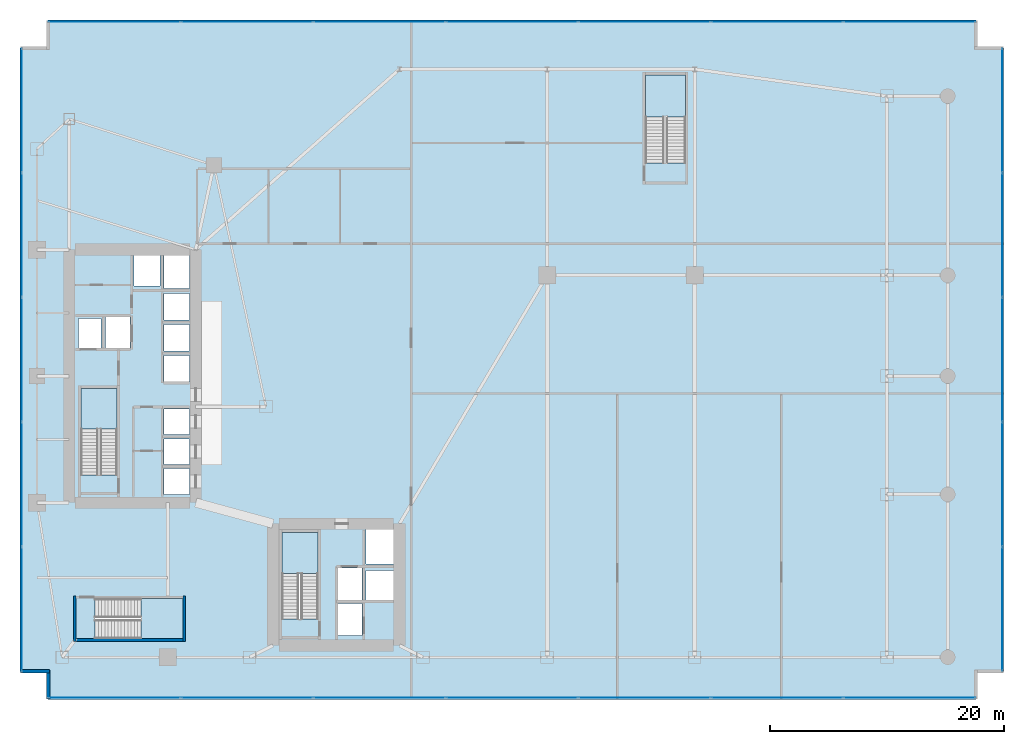
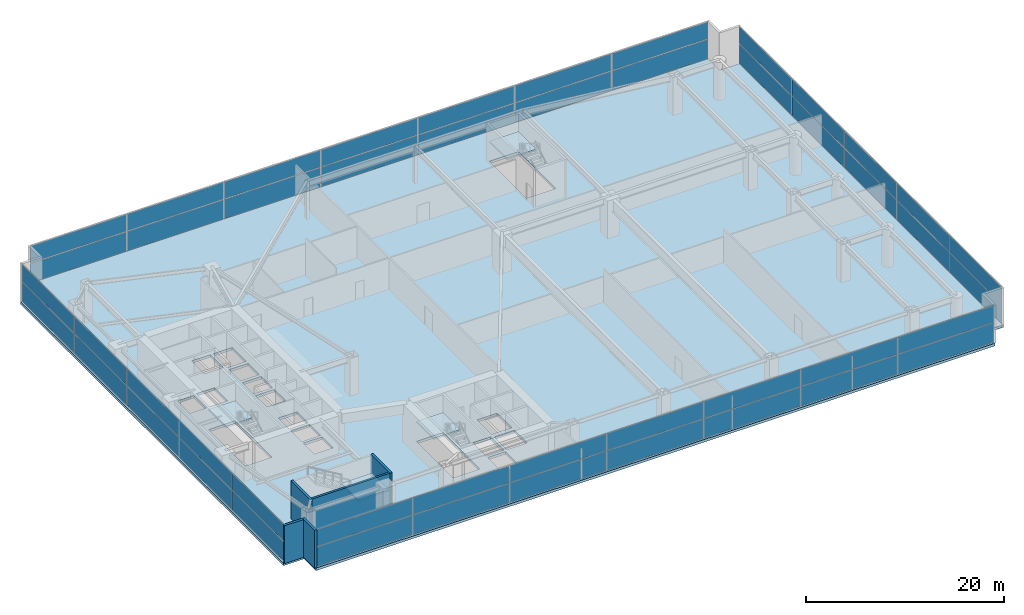
# One storey, part 29 of 35: 48 plates, 5 slabs, 5 walls, 8 elements without a shape of their own.
"""IFC4 building model written with IfcOpenShell, lengths in metres."""

from ifc_helpers import new_model, si_unit, direction, frame, frame_2d, origin, origin_2d, place, context, subcontext, project, spatial, polyline, rectangle, outline, extrude, material, layer, layer_set, type_object, element, aggregate, save


model = new_model("IFC4")

# Units and contexts
model_context = context("Model", 3, precision=1e-05, world=origin(), true_north=direction((0.0, 1.0)))
body_context = subcontext(model_context, "Body", "Model", "MODEL_VIEW")
ifc_project = project(units=[si_unit("LENGTHUNIT", "METRE"), si_unit("AREAUNIT", "SQUARE_METRE"), si_unit("VOLUMEUNIT", "CUBIC_METRE"), si_unit("PLANEANGLEUNIT", "RADIAN"), si_unit("MASSUNIT", "GRAM", prefix="KILO")], contexts=[model_context])

# Site, building, storey
site_placement = place(None, origin())
site = spatial("IfcSite", under=ifc_project, at=site_placement, CompositionType="ELEMENT")
building_placement = place(site_placement, origin())
building = spatial("IfcBuilding", under=site, at=building_placement, Name="Calvorn Quay Hotel", CompositionType="ELEMENT")
storey_placement = place(building_placement, frame((0.0, 0.0, 12.0)))
storey = spatial("IfcBuildingStorey", under=building, at=storey_placement, Name="L02", CompositionType="ELEMENT", Elevation=12.0)

# Curtain wall, plates
ifc_material_1 = material(Name="Pale Anodised Aluminium and Low-E Glass", Category="aluminium")
ifc_layer_1 = layer(ifc_material_1, 0.219970703125)
ifc_layer_set_1 = layer_set([ifc_layer_1], Name="CW-SYS-POD")
curtain_wall_type = type_object("IfcCurtainWallType", Name="CW-SYS-POD", PredefinedType="NOTDEFINED", material=ifc_layer_set_1)
curtain_wall_1_placement = place(storey_placement, origin())
curtain_wall_1 = element("IfcCurtainWall", 1, at=curtain_wall_1_placement, inside=storey, type_object=curtain_wall_type, Name="Podium Curtain Wall L02-S1", PredefinedType="NOTDEFINED")
ifc_material_2 = material(Name="Low-E Laminated Double Glazing", Category="glass")
ifc_layer_2 = layer(ifc_material_2, 0.028076171875)
ifc_layer_set_2 = layer_set([ifc_layer_2], Name="CW-SYS-POD-PAN")
plate_type = type_object("IfcPlateType", Name="CW-SYS-POD-PAN", PredefinedType="CURTAIN_PANEL", material=ifc_layer_set_2)
plate_1_placement = place(storey_placement, frame((8.072021484375, 0.14990234375, 0.06005859375), z_axis=(0.0, 0.0, 1.0), x_axis=(1.0, 0.0, 0.0)))
plate_1 = element("IfcPlate", 2, at=plate_1_placement, type_object=plate_type, Name="CW-L02-S1 panel 1.1", PredefinedType="CURTAIN_PANEL", context=body_context, shape_type="SweptSolid", body=[
    extrude(rectangle(XDim=11.224365234375, YDim=0.028076171875, at=origin_2d()), origin(), (0.0, 0.0, 1.0), 2.409912109375),
])
plate_2_placement = place(storey_placement, frame((8.072021484375, 0.14990234375, 2.52978515625), z_axis=(0.0, 0.0, 1.0), x_axis=(1.0, 0.0, 0.0)))
plate_2 = element("IfcPlate", 3, at=plate_2_placement, type_object=plate_type, Name="CW-L02-S1 panel 1.2", PredefinedType="CURTAIN_PANEL", context=body_context, shape_type="SweptSolid", body=[
    extrude(rectangle(XDim=11.224365234375, YDim=0.028076171875, at=origin_2d()), origin(), (0.0, 0.0, 1.0), 2.090087890625),
])
plate_3_placement = place(storey_placement, frame((19.371337890625, 0.14990234375, 0.06005859375), z_axis=(0.0, 0.0, 1.0), x_axis=(1.0, 0.0, 0.0)))
plate_3 = element("IfcPlate", 4, at=plate_3_placement, type_object=plate_type, Name="CW-L02-S1 panel 2.1", PredefinedType="CURTAIN_PANEL", context=body_context, shape_type="SweptSolid", body=[
    extrude(rectangle(XDim=11.25439453125, YDim=0.028076171875, at=origin_2d()), origin(), (0.0, 0.0, 1.0), 2.409912109375),
])
plate_4_placement = place(storey_placement, frame((19.371337890625, 0.14990234375, 2.52978515625), z_axis=(0.0, 0.0, 1.0), x_axis=(1.0, 0.0, 0.0)))
plate_4 = element("IfcPlate", 5, at=plate_4_placement, type_object=plate_type, Name="CW-L02-S1 panel 2.2", PredefinedType="CURTAIN_PANEL", context=body_context, shape_type="SweptSolid", body=[
    extrude(rectangle(XDim=11.25439453125, YDim=0.028076171875, at=origin_2d()), origin(), (0.0, 0.0, 1.0), 2.090087890625),
])
plate_5_placement = place(storey_placement, frame((30.685791015625, 0.14990234375, 0.06005859375), z_axis=(0.0, 0.0, 1.0), x_axis=(1.0, 0.0, 0.0)))
plate_5 = element("IfcPlate", 6, at=plate_5_placement, type_object=plate_type, Name="CW-L02-S1 panel 3.1", PredefinedType="CURTAIN_PANEL", context=body_context, shape_type="SweptSolid", body=[
    extrude(rectangle(XDim=11.25439453125, YDim=0.028076171875, at=origin_2d()), origin(), (0.0, 0.0, 1.0), 2.409912109375),
])
plate_6_placement = place(storey_placement, frame((30.685791015625, 0.14990234375, 2.52978515625), z_axis=(0.0, 0.0, 1.0), x_axis=(1.0, 0.0, 0.0)))
plate_6 = element("IfcPlate", 7, at=plate_6_placement, type_object=plate_type, Name="CW-L02-S1 panel 3.2", PredefinedType="CURTAIN_PANEL", context=body_context, shape_type="SweptSolid", body=[
    extrude(rectangle(XDim=11.25439453125, YDim=0.028076171875, at=origin_2d()), origin(), (0.0, 0.0, 1.0), 2.090087890625),
])
plate_7_placement = place(storey_placement, frame((42.0, 0.14990234375, 0.06005859375), z_axis=(0.0, 0.0, 1.0), x_axis=(1.0, 0.0, 0.0)))
plate_7 = element("IfcPlate", 8, at=plate_7_placement, type_object=plate_type, Name="CW-L02-S1 panel 4.1", PredefinedType="CURTAIN_PANEL", context=body_context, shape_type="SweptSolid", body=[
    extrude(rectangle(XDim=11.25439453125, YDim=0.028076171875, at=origin_2d()), origin(), (0.0, 0.0, 1.0), 2.409912109375),
])
plate_8_placement = place(storey_placement, frame((42.0, 0.14990234375, 2.52978515625), z_axis=(0.0, 0.0, 1.0), x_axis=(1.0, 0.0, 0.0)))
plate_8 = element("IfcPlate", 9, at=plate_8_placement, type_object=plate_type, Name="CW-L02-S1 panel 4.2", PredefinedType="CURTAIN_PANEL", context=body_context, shape_type="SweptSolid", body=[
    extrude(rectangle(XDim=11.25439453125, YDim=0.028076171875, at=origin_2d()), origin(), (0.0, 0.0, 1.0), 2.090087890625),
])
plate_9_placement = place(storey_placement, frame((53.314208984375, 0.14990234375, 0.06005859375), z_axis=(0.0, 0.0, 1.0), x_axis=(1.0, 0.0, 0.0)))
plate_9 = element("IfcPlate", 10, at=plate_9_placement, type_object=plate_type, Name="CW-L02-S1 panel 5.1", PredefinedType="CURTAIN_PANEL", context=body_context, shape_type="SweptSolid", body=[
    extrude(rectangle(XDim=11.25439453125, YDim=0.028076171875, at=origin_2d()), origin(), (0.0, 0.0, 1.0), 2.409912109375),
])
plate_10_placement = place(storey_placement, frame((53.314208984375, 0.14990234375, 2.52978515625), z_axis=(0.0, 0.0, 1.0), x_axis=(1.0, 0.0, 0.0)))
plate_10 = element("IfcPlate", 11, at=plate_10_placement, type_object=plate_type, Name="CW-L02-S1 panel 5.2", PredefinedType="CURTAIN_PANEL", context=body_context, shape_type="SweptSolid", body=[
    extrude(rectangle(XDim=11.25439453125, YDim=0.028076171875, at=origin_2d()), origin(), (0.0, 0.0, 1.0), 2.090087890625),
])
plate_11_placement = place(storey_placement, frame((64.628662109375, 0.14990234375, 0.06005859375), z_axis=(0.0, 0.0, 1.0), x_axis=(1.0, 0.0, 0.0)))
plate_11 = element("IfcPlate", 12, at=plate_11_placement, type_object=plate_type, Name="CW-L02-S1 panel 6.1", PredefinedType="CURTAIN_PANEL", context=body_context, shape_type="SweptSolid", body=[
    extrude(rectangle(XDim=11.25439453125, YDim=0.028076171875, at=origin_2d()), origin(), (0.0, 0.0, 1.0), 2.409912109375),
])
plate_12_placement = place(storey_placement, frame((64.628662109375, 0.14990234375, 2.52978515625), z_axis=(0.0, 0.0, 1.0), x_axis=(1.0, 0.0, 0.0)))
plate_12 = element("IfcPlate", 13, at=plate_12_placement, type_object=plate_type, Name="CW-L02-S1 panel 6.2", PredefinedType="CURTAIN_PANEL", context=body_context, shape_type="SweptSolid", body=[
    extrude(rectangle(XDim=11.25439453125, YDim=0.028076171875, at=origin_2d()), origin(), (0.0, 0.0, 1.0), 2.090087890625),
])
plate_13_placement = place(storey_placement, frame((75.927978515625, 0.14990234375, 0.06005859375), z_axis=(0.0, 0.0, 1.0), x_axis=(1.0, 0.0, 0.0)))
plate_13 = element("IfcPlate", 14, at=plate_13_placement, type_object=plate_type, Name="CW-L02-S1 panel 7.1", PredefinedType="CURTAIN_PANEL", context=body_context, shape_type="SweptSolid", body=[
    extrude(rectangle(XDim=11.224365234375, YDim=0.028076171875, at=origin_2d()), origin(), (0.0, 0.0, 1.0), 2.409912109375),
])
plate_14_placement = place(storey_placement, frame((75.927978515625, 0.14990234375, 2.52978515625), z_axis=(0.0, 0.0, 1.0), x_axis=(1.0, 0.0, 0.0)))
plate_14 = element("IfcPlate", 15, at=plate_14_placement, type_object=plate_type, Name="CW-L02-S1 panel 7.2", PredefinedType="CURTAIN_PANEL", context=body_context, shape_type="SweptSolid", body=[
    extrude(rectangle(XDim=11.224365234375, YDim=0.028076171875, at=origin_2d()), origin(), (0.0, 0.0, 1.0), 2.090087890625),
])
aggregate(curtain_wall_1, [plate_1, plate_2, plate_3, plate_4, plate_5, plate_6, plate_7, plate_8, plate_9, plate_10, plate_11, plate_12, plate_13, plate_14])

curtain_wall_2_placement = place(storey_placement, origin())
curtain_wall_2 = element("IfcCurtainWall", 16, at=curtain_wall_2_placement, inside=storey, type_object=curtain_wall_type, Name="Podium Curtain Wall L02-W1", PredefinedType="NOTDEFINED")
plate_15_placement = place(storey_placement, frame((0.14990234375, 7.735107421875, 0.06005859375), z_axis=(0.0, 0.0, 1.0), x_axis=(0.0, 1.0, 0.0)))
plate_15 = element("IfcPlate", 17, at=plate_15_placement, type_object=plate_type, Name="CW-L02-W1 panel 1.1", PredefinedType="CURTAIN_PANEL", context=body_context, shape_type="SweptSolid", body=[
    extrude(rectangle(XDim=10.550048828125, YDim=0.028076171875, at=origin_2d()), origin(), (0.0, 0.0, 1.0), 2.409912109375),
])
plate_16_placement = place(storey_placement, frame((0.14990234375, 7.735107421875, 2.52978515625), z_axis=(0.0, 0.0, 1.0), x_axis=(0.0, 1.0, 0.0)))
plate_16 = element("IfcPlate", 18, at=plate_16_placement, type_object=plate_type, Name="CW-L02-W1 panel 1.2", PredefinedType="CURTAIN_PANEL", context=body_context, shape_type="SweptSolid", body=[
    extrude(rectangle(XDim=10.550048828125, YDim=0.028076171875, at=origin_2d()), origin(), (0.0, 0.0, 1.0), 2.090087890625),
])
plate_17_placement = place(storey_placement, frame((0.14990234375, 18.360107421875, 0.06005859375), z_axis=(0.0, 0.0, 1.0), x_axis=(0.0, 1.0, 0.0)))
plate_17 = element("IfcPlate", 19, at=plate_17_placement, type_object=plate_type, Name="CW-L02-W1 panel 2.1", PredefinedType="CURTAIN_PANEL", context=body_context, shape_type="SweptSolid", body=[
    extrude(rectangle(XDim=10.580078125, YDim=0.028076171875, at=origin_2d()), origin(), (0.0, 0.0, 1.0), 2.409912109375),
])
plate_18_placement = place(storey_placement, frame((0.14990234375, 18.360107421875, 2.52978515625), z_axis=(0.0, 0.0, 1.0), x_axis=(0.0, 1.0, 0.0)))
plate_18 = element("IfcPlate", 20, at=plate_18_placement, type_object=plate_type, Name="CW-L02-W1 panel 2.2", PredefinedType="CURTAIN_PANEL", context=body_context, shape_type="SweptSolid", body=[
    extrude(rectangle(XDim=10.580078125, YDim=0.028076171875, at=origin_2d()), origin(), (0.0, 0.0, 1.0), 2.090087890625),
])
plate_19_placement = place(storey_placement, frame((0.14990234375, 29.0, 0.06005859375), z_axis=(0.0, 0.0, 1.0), x_axis=(0.0, 1.0, 0.0)))
plate_19 = element("IfcPlate", 21, at=plate_19_placement, type_object=plate_type, Name="CW-L02-W1 panel 3.1", PredefinedType="CURTAIN_PANEL", context=body_context, shape_type="SweptSolid", body=[
    extrude(rectangle(XDim=10.580078125, YDim=0.028076171875, at=origin_2d()), origin(), (0.0, 0.0, 1.0), 2.409912109375),
])
plate_20_placement = place(storey_placement, frame((0.14990234375, 29.0, 2.52978515625), z_axis=(0.0, 0.0, 1.0), x_axis=(0.0, 1.0, 0.0)))
plate_20 = element("IfcPlate", 22, at=plate_20_placement, type_object=plate_type, Name="CW-L02-W1 panel 3.2", PredefinedType="CURTAIN_PANEL", context=body_context, shape_type="SweptSolid", body=[
    extrude(rectangle(XDim=10.580078125, YDim=0.028076171875, at=origin_2d()), origin(), (0.0, 0.0, 1.0), 2.090087890625),
])
plate_21_placement = place(storey_placement, frame((0.14990234375, 39.639892578125, 0.06005859375), z_axis=(0.0, 0.0, 1.0), x_axis=(0.0, 1.0, 0.0)))
plate_21 = element("IfcPlate", 23, at=plate_21_placement, type_object=plate_type, Name="CW-L02-W1 panel 4.1", PredefinedType="CURTAIN_PANEL", context=body_context, shape_type="SweptSolid", body=[
    extrude(rectangle(XDim=10.580078125, YDim=0.028076171875, at=origin_2d()), origin(), (0.0, 0.0, 1.0), 2.409912109375),
])
plate_22_placement = place(storey_placement, frame((0.14990234375, 39.639892578125, 2.52978515625), z_axis=(0.0, 0.0, 1.0), x_axis=(0.0, 1.0, 0.0)))
plate_22 = element("IfcPlate", 24, at=plate_22_placement, type_object=plate_type, Name="CW-L02-W1 panel 4.2", PredefinedType="CURTAIN_PANEL", context=body_context, shape_type="SweptSolid", body=[
    extrude(rectangle(XDim=10.580078125, YDim=0.028076171875, at=origin_2d()), origin(), (0.0, 0.0, 1.0), 2.090087890625),
])
plate_23_placement = place(storey_placement, frame((0.14990234375, 50.264892578125, 0.06005859375), z_axis=(0.0, 0.0, 1.0), x_axis=(0.0, 1.0, 0.0)))
plate_23 = element("IfcPlate", 25, at=plate_23_placement, type_object=plate_type, Name="CW-L02-W1 panel 5.1", PredefinedType="CURTAIN_PANEL", context=body_context, shape_type="SweptSolid", body=[
    extrude(rectangle(XDim=10.550048828125, YDim=0.028076171875, at=origin_2d()), origin(), (0.0, 0.0, 1.0), 2.409912109375),
])
plate_24_placement = place(storey_placement, frame((0.14990234375, 50.264892578125, 2.52978515625), z_axis=(0.0, 0.0, 1.0), x_axis=(0.0, 1.0, 0.0)))
plate_24 = element("IfcPlate", 26, at=plate_24_placement, type_object=plate_type, Name="CW-L02-W1 panel 5.2", PredefinedType="CURTAIN_PANEL", context=body_context, shape_type="SweptSolid", body=[
    extrude(rectangle(XDim=10.550048828125, YDim=0.028076171875, at=origin_2d()), origin(), (0.0, 0.0, 1.0), 2.090087890625),
])
aggregate(curtain_wall_2, [plate_15, plate_16, plate_17, plate_18, plate_19, plate_20, plate_21, plate_22, plate_23, plate_24])

curtain_wall_3_placement = place(storey_placement, origin())
curtain_wall_3 = element("IfcCurtainWall", 27, at=curtain_wall_3_placement, inside=storey, type_object=curtain_wall_type, Name="Podium Curtain Wall L02-N1", PredefinedType="NOTDEFINED")
plate_25_placement = place(storey_placement, frame((8.072021484375, 57.85009765625, 0.06005859375), z_axis=(0.0, 0.0, 1.0), x_axis=(1.0, 0.0, 0.0)))
plate_25 = element("IfcPlate", 28, at=plate_25_placement, type_object=plate_type, Name="CW-L02-N1 panel 1.1", PredefinedType="CURTAIN_PANEL", context=body_context, shape_type="SweptSolid", body=[
    extrude(rectangle(XDim=11.224365234375, YDim=0.028076171875, at=origin_2d()), origin(), (0.0, 0.0, 1.0), 2.409912109375),
])
plate_26_placement = place(storey_placement, frame((8.072021484375, 57.85009765625, 2.52978515625), z_axis=(0.0, 0.0, 1.0), x_axis=(1.0, 0.0, 0.0)))
plate_26 = element("IfcPlate", 29, at=plate_26_placement, type_object=plate_type, Name="CW-L02-N1 panel 1.2", PredefinedType="CURTAIN_PANEL", context=body_context, shape_type="SweptSolid", body=[
    extrude(rectangle(XDim=11.224365234375, YDim=0.028076171875, at=origin_2d()), origin(), (0.0, 0.0, 1.0), 2.090087890625),
])
plate_27_placement = place(storey_placement, frame((19.371337890625, 57.85009765625, 0.06005859375), z_axis=(0.0, 0.0, 1.0), x_axis=(1.0, 0.0, 0.0)))
plate_27 = element("IfcPlate", 30, at=plate_27_placement, type_object=plate_type, Name="CW-L02-N1 panel 2.1", PredefinedType="CURTAIN_PANEL", context=body_context, shape_type="SweptSolid", body=[
    extrude(rectangle(XDim=11.25439453125, YDim=0.028076171875, at=origin_2d()), origin(), (0.0, 0.0, 1.0), 2.409912109375),
])
plate_28_placement = place(storey_placement, frame((19.371337890625, 57.85009765625, 2.52978515625), z_axis=(0.0, 0.0, 1.0), x_axis=(1.0, 0.0, 0.0)))
plate_28 = element("IfcPlate", 31, at=plate_28_placement, type_object=plate_type, Name="CW-L02-N1 panel 2.2", PredefinedType="CURTAIN_PANEL", context=body_context, shape_type="SweptSolid", body=[
    extrude(rectangle(XDim=11.25439453125, YDim=0.028076171875, at=origin_2d()), origin(), (0.0, 0.0, 1.0), 2.090087890625),
])
plate_29_placement = place(storey_placement, frame((30.685791015625, 57.85009765625, 0.06005859375), z_axis=(0.0, 0.0, 1.0), x_axis=(1.0, 0.0, 0.0)))
plate_29 = element("IfcPlate", 32, at=plate_29_placement, type_object=plate_type, Name="CW-L02-N1 panel 3.1", PredefinedType="CURTAIN_PANEL", context=body_context, shape_type="SweptSolid", body=[
    extrude(rectangle(XDim=11.25439453125, YDim=0.028076171875, at=origin_2d()), origin(), (0.0, 0.0, 1.0), 2.409912109375),
])
plate_30_placement = place(storey_placement, frame((30.685791015625, 57.85009765625, 2.52978515625), z_axis=(0.0, 0.0, 1.0), x_axis=(1.0, 0.0, 0.0)))
plate_30 = element("IfcPlate", 33, at=plate_30_placement, type_object=plate_type, Name="CW-L02-N1 panel 3.2", PredefinedType="CURTAIN_PANEL", context=body_context, shape_type="SweptSolid", body=[
    extrude(rectangle(XDim=11.25439453125, YDim=0.028076171875, at=origin_2d()), origin(), (0.0, 0.0, 1.0), 2.090087890625),
])
plate_31_placement = place(storey_placement, frame((42.0, 57.85009765625, 0.06005859375), z_axis=(0.0, 0.0, 1.0), x_axis=(1.0, 0.0, 0.0)))
plate_31 = element("IfcPlate", 34, at=plate_31_placement, type_object=plate_type, Name="CW-L02-N1 panel 4.1", PredefinedType="CURTAIN_PANEL", context=body_context, shape_type="SweptSolid", body=[
    extrude(rectangle(XDim=11.25439453125, YDim=0.028076171875, at=origin_2d()), origin(), (0.0, 0.0, 1.0), 2.409912109375),
])
plate_32_placement = place(storey_placement, frame((42.0, 57.85009765625, 2.52978515625), z_axis=(0.0, 0.0, 1.0), x_axis=(1.0, 0.0, 0.0)))
plate_32 = element("IfcPlate", 35, at=plate_32_placement, type_object=plate_type, Name="CW-L02-N1 panel 4.2", PredefinedType="CURTAIN_PANEL", context=body_context, shape_type="SweptSolid", body=[
    extrude(rectangle(XDim=11.25439453125, YDim=0.028076171875, at=origin_2d()), origin(), (0.0, 0.0, 1.0), 2.090087890625),
])
plate_33_placement = place(storey_placement, frame((53.314208984375, 57.85009765625, 0.06005859375), z_axis=(0.0, 0.0, 1.0), x_axis=(1.0, 0.0, 0.0)))
plate_33 = element("IfcPlate", 36, at=plate_33_placement, type_object=plate_type, Name="CW-L02-N1 panel 5.1", PredefinedType="CURTAIN_PANEL", context=body_context, shape_type="SweptSolid", body=[
    extrude(rectangle(XDim=11.25439453125, YDim=0.028076171875, at=origin_2d()), origin(), (0.0, 0.0, 1.0), 2.409912109375),
])
plate_34_placement = place(storey_placement, frame((53.314208984375, 57.85009765625, 2.52978515625), z_axis=(0.0, 0.0, 1.0), x_axis=(1.0, 0.0, 0.0)))
plate_34 = element("IfcPlate", 37, at=plate_34_placement, type_object=plate_type, Name="CW-L02-N1 panel 5.2", PredefinedType="CURTAIN_PANEL", context=body_context, shape_type="SweptSolid", body=[
    extrude(rectangle(XDim=11.25439453125, YDim=0.028076171875, at=origin_2d()), origin(), (0.0, 0.0, 1.0), 2.090087890625),
])
plate_35_placement = place(storey_placement, frame((64.628662109375, 57.85009765625, 0.06005859375), z_axis=(0.0, 0.0, 1.0), x_axis=(1.0, 0.0, 0.0)))
plate_35 = element("IfcPlate", 38, at=plate_35_placement, type_object=plate_type, Name="CW-L02-N1 panel 6.1", PredefinedType="CURTAIN_PANEL", context=body_context, shape_type="SweptSolid", body=[
    extrude(rectangle(XDim=11.25439453125, YDim=0.028076171875, at=origin_2d()), origin(), (0.0, 0.0, 1.0), 2.409912109375),
])
plate_36_placement = place(storey_placement, frame((64.628662109375, 57.85009765625, 2.52978515625), z_axis=(0.0, 0.0, 1.0), x_axis=(1.0, 0.0, 0.0)))
plate_36 = element("IfcPlate", 39, at=plate_36_placement, type_object=plate_type, Name="CW-L02-N1 panel 6.2", PredefinedType="CURTAIN_PANEL", context=body_context, shape_type="SweptSolid", body=[
    extrude(rectangle(XDim=11.25439453125, YDim=0.028076171875, at=origin_2d()), origin(), (0.0, 0.0, 1.0), 2.090087890625),
])
plate_37_placement = place(storey_placement, frame((75.927978515625, 57.85009765625, 0.06005859375), z_axis=(0.0, 0.0, 1.0), x_axis=(1.0, 0.0, 0.0)))
plate_37 = element("IfcPlate", 40, at=plate_37_placement, type_object=plate_type, Name="CW-L02-N1 panel 7.1", PredefinedType="CURTAIN_PANEL", context=body_context, shape_type="SweptSolid", body=[
    extrude(rectangle(XDim=11.224365234375, YDim=0.028076171875, at=origin_2d()), origin(), (0.0, 0.0, 1.0), 2.409912109375),
])
plate_38_placement = place(storey_placement, frame((75.927978515625, 57.85009765625, 2.52978515625), z_axis=(0.0, 0.0, 1.0), x_axis=(1.0, 0.0, 0.0)))
plate_38 = element("IfcPlate", 41, at=plate_38_placement, type_object=plate_type, Name="CW-L02-N1 panel 7.2", PredefinedType="CURTAIN_PANEL", context=body_context, shape_type="SweptSolid", body=[
    extrude(rectangle(XDim=11.224365234375, YDim=0.028076171875, at=origin_2d()), origin(), (0.0, 0.0, 1.0), 2.090087890625),
])
aggregate(curtain_wall_3, [plate_25, plate_26, plate_27, plate_28, plate_29, plate_30, plate_31, plate_32, plate_33, plate_34, plate_35, plate_36, plate_37, plate_38])

curtain_wall_4_placement = place(storey_placement, origin())
curtain_wall_4 = element("IfcCurtainWall", 42, at=curtain_wall_4_placement, inside=storey, type_object=curtain_wall_type, Name="Podium Curtain Wall L02-E1", PredefinedType="NOTDEFINED")
plate_39_placement = place(storey_placement, frame((83.85009765625, 7.735107421875, 0.06005859375), z_axis=(0.0, 0.0, 1.0), x_axis=(0.0, 1.0, 0.0)))
plate_39 = element("IfcPlate", 43, at=plate_39_placement, type_object=plate_type, Name="CW-L02-E1 panel 1.1", PredefinedType="CURTAIN_PANEL", context=body_context, shape_type="SweptSolid", body=[
    extrude(rectangle(XDim=10.550048828125, YDim=0.028076171875, at=origin_2d()), origin(), (0.0, 0.0, 1.0), 2.409912109375),
])
plate_40_placement = place(storey_placement, frame((83.85009765625, 7.735107421875, 2.52978515625), z_axis=(0.0, 0.0, 1.0), x_axis=(0.0, 1.0, 0.0)))
plate_40 = element("IfcPlate", 44, at=plate_40_placement, type_object=plate_type, Name="CW-L02-E1 panel 1.2", PredefinedType="CURTAIN_PANEL", context=body_context, shape_type="SweptSolid", body=[
    extrude(rectangle(XDim=10.550048828125, YDim=0.028076171875, at=origin_2d()), origin(), (0.0, 0.0, 1.0), 2.090087890625),
])
plate_41_placement = place(storey_placement, frame((83.85009765625, 18.360107421875, 0.06005859375), z_axis=(0.0, 0.0, 1.0), x_axis=(0.0, 1.0, 0.0)))
plate_41 = element("IfcPlate", 45, at=plate_41_placement, type_object=plate_type, Name="CW-L02-E1 panel 2.1", PredefinedType="CURTAIN_PANEL", context=body_context, shape_type="SweptSolid", body=[
    extrude(rectangle(XDim=10.580078125, YDim=0.028076171875, at=origin_2d()), origin(), (0.0, 0.0, 1.0), 2.409912109375),
])
plate_42_placement = place(storey_placement, frame((83.85009765625, 18.360107421875, 2.52978515625), z_axis=(0.0, 0.0, 1.0), x_axis=(0.0, 1.0, 0.0)))
plate_42 = element("IfcPlate", 46, at=plate_42_placement, type_object=plate_type, Name="CW-L02-E1 panel 2.2", PredefinedType="CURTAIN_PANEL", context=body_context, shape_type="SweptSolid", body=[
    extrude(rectangle(XDim=10.580078125, YDim=0.028076171875, at=origin_2d()), origin(), (0.0, 0.0, 1.0), 2.090087890625),
])
plate_43_placement = place(storey_placement, frame((83.85009765625, 29.0, 0.06005859375), z_axis=(0.0, 0.0, 1.0), x_axis=(0.0, 1.0, 0.0)))
plate_43 = element("IfcPlate", 47, at=plate_43_placement, type_object=plate_type, Name="CW-L02-E1 panel 3.1", PredefinedType="CURTAIN_PANEL", context=body_context, shape_type="SweptSolid", body=[
    extrude(rectangle(XDim=10.580078125, YDim=0.028076171875, at=origin_2d()), origin(), (0.0, 0.0, 1.0), 2.409912109375),
])
plate_44_placement = place(storey_placement, frame((83.85009765625, 29.0, 2.52978515625), z_axis=(0.0, 0.0, 1.0), x_axis=(0.0, 1.0, 0.0)))
plate_44 = element("IfcPlate", 48, at=plate_44_placement, type_object=plate_type, Name="CW-L02-E1 panel 3.2", PredefinedType="CURTAIN_PANEL", context=body_context, shape_type="SweptSolid", body=[
    extrude(rectangle(XDim=10.580078125, YDim=0.028076171875, at=origin_2d()), origin(), (0.0, 0.0, 1.0), 2.090087890625),
])
plate_45_placement = place(storey_placement, frame((83.85009765625, 39.639892578125, 0.06005859375), z_axis=(0.0, 0.0, 1.0), x_axis=(0.0, 1.0, 0.0)))
plate_45 = element("IfcPlate", 49, at=plate_45_placement, type_object=plate_type, Name="CW-L02-E1 panel 4.1", PredefinedType="CURTAIN_PANEL", context=body_context, shape_type="SweptSolid", body=[
    extrude(rectangle(XDim=10.580078125, YDim=0.028076171875, at=origin_2d()), origin(), (0.0, 0.0, 1.0), 2.409912109375),
])
plate_46_placement = place(storey_placement, frame((83.85009765625, 39.639892578125, 2.52978515625), z_axis=(0.0, 0.0, 1.0), x_axis=(0.0, 1.0, 0.0)))
plate_46 = element("IfcPlate", 50, at=plate_46_placement, type_object=plate_type, Name="CW-L02-E1 panel 4.2", PredefinedType="CURTAIN_PANEL", context=body_context, shape_type="SweptSolid", body=[
    extrude(rectangle(XDim=10.580078125, YDim=0.028076171875, at=origin_2d()), origin(), (0.0, 0.0, 1.0), 2.090087890625),
])
plate_47_placement = place(storey_placement, frame((83.85009765625, 50.264892578125, 0.06005859375), z_axis=(0.0, 0.0, 1.0), x_axis=(0.0, 1.0, 0.0)))
plate_47 = element("IfcPlate", 51, at=plate_47_placement, type_object=plate_type, Name="CW-L02-E1 panel 5.1", PredefinedType="CURTAIN_PANEL", context=body_context, shape_type="SweptSolid", body=[
    extrude(rectangle(XDim=10.550048828125, YDim=0.028076171875, at=origin_2d()), origin(), (0.0, 0.0, 1.0), 2.409912109375),
])
plate_48_placement = place(storey_placement, frame((83.85009765625, 50.264892578125, 2.52978515625), z_axis=(0.0, 0.0, 1.0), x_axis=(0.0, 1.0, 0.0)))
plate_48 = element("IfcPlate", 52, at=plate_48_placement, type_object=plate_type, Name="CW-L02-E1 panel 5.2", PredefinedType="CURTAIN_PANEL", context=body_context, shape_type="SweptSolid", body=[
    extrude(rectangle(XDim=10.550048828125, YDim=0.028076171875, at=origin_2d()), origin(), (0.0, 0.0, 1.0), 2.090087890625),
])
aggregate(curtain_wall_4, [plate_39, plate_40, plate_41, plate_42, plate_43, plate_44, plate_45, plate_46, plate_47, plate_48])

# Slab
ifc_material_3 = material(Name="Concrete C40", Category="concrete")
ifc_layer_3 = layer(ifc_material_3, 0.320068359375)
ifc_layer_set_3 = layer_set([ifc_layer_3], Name="SLB-POD-320")
slab_type_1 = type_object("IfcSlabType", Name="SLB-POD-320", PredefinedType="FLOOR", material=ifc_layer_set_3)
slab_1_placement = place(storey_placement, frame((0.0, 0.0, -0.320068359375)))
element("IfcSlab", 53, at=slab_1_placement, inside=storey, type_object=slab_type_1, Name="L02 Structural Floor Slab", PredefinedType="FLOOR", context=body_context, shape_type="SweptSolid", body=[
    extrude(outline(polyline([(0.0, 2.39990234375), (2.39990234375, 2.39990234375), (2.39990234375, 0.0), (81.60009765625, 0.0), (81.60009765625, 2.39990234375), (84.0, 2.39990234375), (84.0, 55.60009765625), (81.60009765625, 55.60009765625), (81.60009765625, 58.0), (2.39990234375, 58.0), (2.39990234375, 55.60009765625), (0.0, 55.60009765625), (0.0, 2.39990234375)]), holes=[polyline([(5.199951171875, 19.156005859375), (8.300048828125, 19.156005859375), (8.300048828125, 26.550048828125), (5.199951171875, 26.550048828125), (5.199951171875, 19.156005859375)]), polyline([(22.35009765625, 6.85595703125), (25.449951171875, 6.85595703125), (25.449951171875, 14.25), (22.35009765625, 14.25), (22.35009765625, 6.85595703125)]), polyline([(53.39990234375, 45.805908203125), (56.800048828125, 45.805908203125), (56.800048828125, 53.300048828125), (53.39990234375, 53.300048828125), (53.39990234375, 45.805908203125)]), polyline([(6.406005859375, 5.199951171875), (13.89990234375, 5.199951171875), (13.89990234375, 8.60009765625), (6.406005859375, 8.60009765625), (6.406005859375, 5.199951171875)]), polyline([(5.0, 30.0), (6.89990234375, 30.0), (6.89990234375, 32.5), (5.0, 32.5), (5.0, 30.0)]), polyline([(7.300048828125, 30.0), (9.39990234375, 30.0), (9.39990234375, 32.64990234375), (7.300048828125, 32.64990234375), (7.300048828125, 30.0)]), polyline([(27.159912109375, 8.5), (29.2099609375, 8.5), (29.2099609375, 11.199951171875), (27.159912109375, 11.199951171875), (27.159912109375, 8.5)]), polyline([(27.159912109375, 5.449951171875), (29.2099609375, 5.449951171875), (29.2099609375, 8.199951171875), (27.159912109375, 8.199951171875), (27.159912109375, 5.449951171875)]), polyline([(12.300048828125, 17.5), (14.489990234375, 17.5), (14.489990234375, 19.699951171875), (12.300048828125, 19.699951171875), (12.300048828125, 17.5)]), polyline([(12.300048828125, 20.050048828125), (14.489990234375, 20.050048828125), (14.489990234375, 22.25), (12.300048828125, 22.25), (12.300048828125, 20.050048828125)]), polyline([(12.300048828125, 22.60009765625), (14.489990234375, 22.60009765625), (14.489990234375, 24.800048828125), (12.300048828125, 24.800048828125), (12.300048828125, 22.60009765625)]), polyline([(12.300048828125, 27.10009765625), (14.489990234375, 27.10009765625), (14.489990234375, 29.35009765625), (12.300048828125, 29.35009765625), (12.300048828125, 27.10009765625)]), polyline([(12.300048828125, 29.75), (14.489990234375, 29.75), (14.489990234375, 32.0), (12.300048828125, 32.0), (12.300048828125, 29.75)]), polyline([(12.300048828125, 32.39990234375), (14.489990234375, 32.39990234375), (14.489990234375, 34.64990234375), (12.300048828125, 34.64990234375), (12.300048828125, 32.39990234375)]), polyline([(12.300048828125, 35.10009765625), (14.489990234375, 35.10009765625), (14.489990234375, 37.889892578125), (12.300048828125, 37.889892578125), (12.300048828125, 35.10009765625)]), polyline([(9.75, 35.300048828125), (11.949951171875, 35.300048828125), (11.949951171875, 37.889892578125), (9.75, 37.889892578125), (9.75, 35.300048828125)]), polyline([(29.550048828125, 11.550048828125), (31.889892578125, 11.550048828125), (31.889892578125, 14.489990234375), (29.550048828125, 14.489990234375), (29.550048828125, 11.550048828125)]), polyline([(29.550048828125, 8.449951171875), (31.889892578125, 8.449951171875), (31.889892578125, 11.0), (29.550048828125, 11.0), (29.550048828125, 8.449951171875)])]), origin(), (0.0, 0.0, 1.0), 0.320068359375),
])

# Stair, slab
ifc_material_4 = material(Name="Concrete C40", Category="concrete")
stair_type_1 = type_object("IfcStairType", Name="STR-CORE-DOGLEG", PredefinedType="HALF_TURN_STAIR", material=ifc_material_4)
stair_1_placement = place(storey_placement, origin())
stair_1 = element("IfcStair", 54, at=stair_1_placement, inside=storey, type_object=stair_type_1, Name="L02 ST-W", PredefinedType="HALF_TURN_STAIR")
ifc_material_5 = material(Name="Concrete C40", Category="concrete")
ifc_layer_4 = layer(ifc_material_5, 0.199951171875)
ifc_layer_set_4 = layer_set([ifc_layer_4], Name="SLB-STAIR-LANDING-200")
slab_type_2 = type_object("IfcSlabType", Name="SLB-STAIR-LANDING-200", PredefinedType="LANDING", material=ifc_layer_set_4)
slab_2_placement = place(storey_placement, frame((0.0, 0.0, 2.300048828125)))
slab_2 = element("IfcSlab", 55, at=slab_2_placement, type_object=slab_type_2, Name="ST-W landing 1", PredefinedType="LANDING", context=body_context, shape_type="SweptSolid", body=[
    extrude(outline(polyline([(8.300048828125, 23.070068359375), (8.300048828125, 26.550048828125), (5.199951171875, 26.550048828125), (5.199951171875, 23.070068359375), (8.300048828125, 23.070068359375)])), origin(), (0.0, 0.0, 1.0), 0.199951171875),
])
aggregate(stair_1, [slab_2])

stair_2_placement = place(storey_placement, origin())
stair_2 = element("IfcStair", 56, at=stair_2_placement, inside=storey, type_object=stair_type_1, Name="L02 ST-E", PredefinedType="HALF_TURN_STAIR")
slab_3_placement = place(storey_placement, frame((0.0, 0.0, 2.300048828125)))
slab_3 = element("IfcSlab", 57, at=slab_3_placement, type_object=slab_type_2, Name="ST-E landing 1", PredefinedType="LANDING", context=body_context, shape_type="SweptSolid", body=[
    extrude(outline(polyline([(25.449951171875, 10.77001953125), (25.449951171875, 14.25), (22.35009765625, 14.25), (22.35009765625, 10.77001953125), (25.449951171875, 10.77001953125)])), origin(), (0.0, 0.0, 1.0), 0.199951171875),
])
aggregate(stair_2, [slab_3])

ifc_material_6 = material(Name="Concrete C40", Category="concrete")
stair_type_2 = type_object("IfcStairType", Name="STR-POD-DOGLEG", PredefinedType="TWO_QUARTER_TURN_STAIR", material=ifc_material_6)
stair_3_placement = place(storey_placement, origin())
stair_3 = element("IfcStair", 58, at=stair_3_placement, inside=storey, type_object=stair_type_2, Name="L02 ST-P1", PredefinedType="TWO_QUARTER_TURN_STAIR")
slab_4_placement = place(storey_placement, frame((0.0, 0.0, 2.300048828125)))
slab_4 = element("IfcSlab", 59, at=slab_4_placement, type_object=slab_type_2, Name="ST-P1 landing 1", PredefinedType="LANDING", context=body_context, shape_type="SweptSolid", body=[
    extrude(outline(polyline([(56.800048828125, 49.719970703125), (56.800048828125, 53.300048828125), (53.39990234375, 53.300048828125), (53.39990234375, 49.719970703125), (56.800048828125, 49.719970703125)])), origin(), (0.0, 0.0, 1.0), 0.199951171875),
])
aggregate(stair_3, [slab_4])

stair_4_placement = place(storey_placement, origin())
stair_4 = element("IfcStair", 60, at=stair_4_placement, inside=storey, type_object=stair_type_2, Name="L02 ST-P2", PredefinedType="TWO_QUARTER_TURN_STAIR")
slab_5_placement = place(storey_placement, frame((0.0, 0.0, 2.300048828125)))
slab_5 = element("IfcSlab", 61, at=slab_5_placement, type_object=slab_type_2, Name="ST-P2 landing 1", PredefinedType="LANDING", context=body_context, shape_type="SweptSolid", body=[
    extrude(outline(polyline([(10.320068359375, 5.199951171875), (13.89990234375, 5.199951171875), (13.89990234375, 8.60009765625), (10.320068359375, 8.60009765625), (10.320068359375, 5.199951171875)])), origin(), (0.0, 0.0, 1.0), 0.199951171875),
])
aggregate(stair_4, [slab_5])

# Walls
ifc_material_7 = material(Name="Concrete C40", Category="concrete")
ifc_layer_5 = layer(ifc_material_7, 0.320068359375)
ifc_layer_set_5 = layer_set([ifc_layer_5], Name="WL-EXT-SPANDREL-320")
wall_type_1 = type_object("IfcWallType", Name="WL-EXT-SPANDREL-320", PredefinedType="SOLIDWALL", material=ifc_layer_set_5)
for number, where, z_axis, x_axis, name in (
    (62, (0.0400390625, 2.39990234375, 0.0), (0.0, 0.0, 1.0), (1.0, 0.0, 0.0), "Podium Notched Corner Wall L02-SW1"),
    (63, (2.39990234375, 2.5, 0.0), (0.0, 0.0, 1.0), (0.0, -1.0, 0.0), "Podium Notched Corner Wall L02-SW2"),
):
    element("IfcWall", number, at=place(storey_placement, frame(where, z_axis=z_axis, x_axis=x_axis)), inside=storey, type_object=wall_type_1, Name=name, PredefinedType="SOLIDWALL", context=body_context, shape_type="SweptSolid", body=[
        extrude(rectangle(XDim=2.4599609375, YDim=0.280029296875, at=frame_2d((1.22998046875, 0.0))), origin(), (0.0, 0.0, 1.0), 4.679931640625),
    ])
ifc_material_8 = material(Name="Concrete C40", Category="concrete")
ifc_layer_6 = layer(ifc_material_8, 0.239990234375)
ifc_layer_set_6 = layer_set([ifc_layer_6], Name="WL-SHAFT-240")
wall_type_2 = type_object("IfcWallType", Name="WL-SHAFT-240", PredefinedType="SOLIDWALL", material=ifc_layer_set_6)
for number, where, z_axis, x_axis, name in (
    (64, (4.679931640625, 4.9599609375, 0.0), (0.0, 0.0, 1.0), (0.0, 1.0, 0.0), "Stair STP2 Shaft Wall W (L02)"),
    (65, (14.02001953125, 4.9599609375, 0.0), (0.0, 0.0, 1.0), (0.0, 1.0, 0.0), "Stair STP2 Shaft Wall E (L02)"),
):
    element("IfcWall", number, at=place(storey_placement, frame(where, z_axis=z_axis, x_axis=x_axis)), inside=storey, type_object=wall_type_2, Name=name, PredefinedType="SOLIDWALL", context=body_context, shape_type="SweptSolid", body=[
        extrude(rectangle(XDim=3.880126953125, YDim=0.239990234375, at=frame_2d((1.93994140625, 0.0))), origin(), (0.0, 0.0, 1.0), 4.679931640625),
    ])
wall_placement = place(storey_placement, frame((4.800048828125, 5.080078125, 0.0), z_axis=(0.0, 0.0, 1.0), x_axis=(1.0, 0.0, 0.0)))
element("IfcWall", 66, at=wall_placement, inside=storey, type_object=wall_type_2, Name="Stair STP2 Shaft Wall S (L02)", PredefinedType="SOLIDWALL", context=body_context, shape_type="SweptSolid", body=[
    extrude(rectangle(XDim=9.099853515625, YDim=0.239990234375, at=frame_2d((4.5498046875, 0.0))), origin(), (0.0, 0.0, 1.0), 4.679931640625),
])

save(model, "model.ifc")
